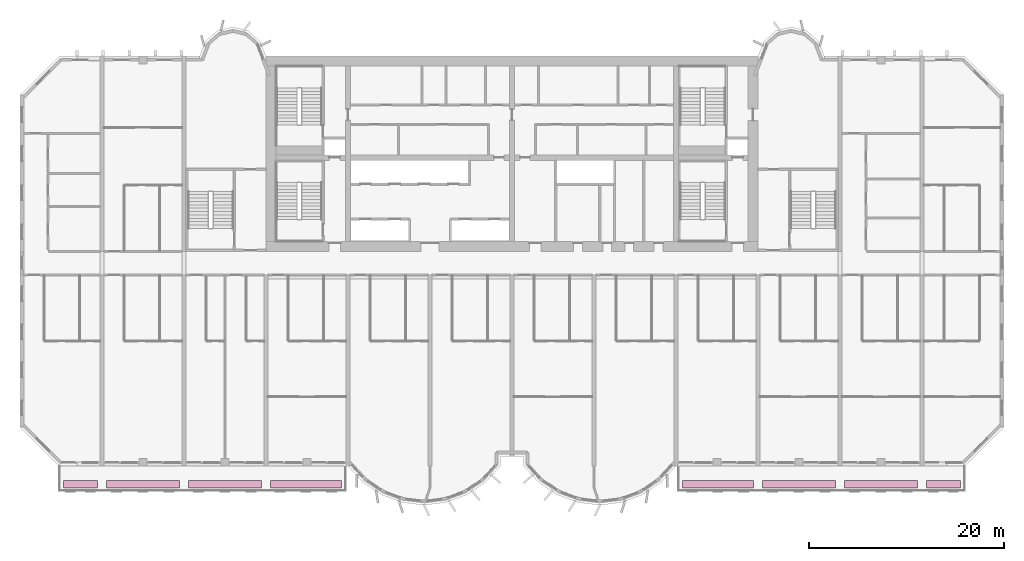
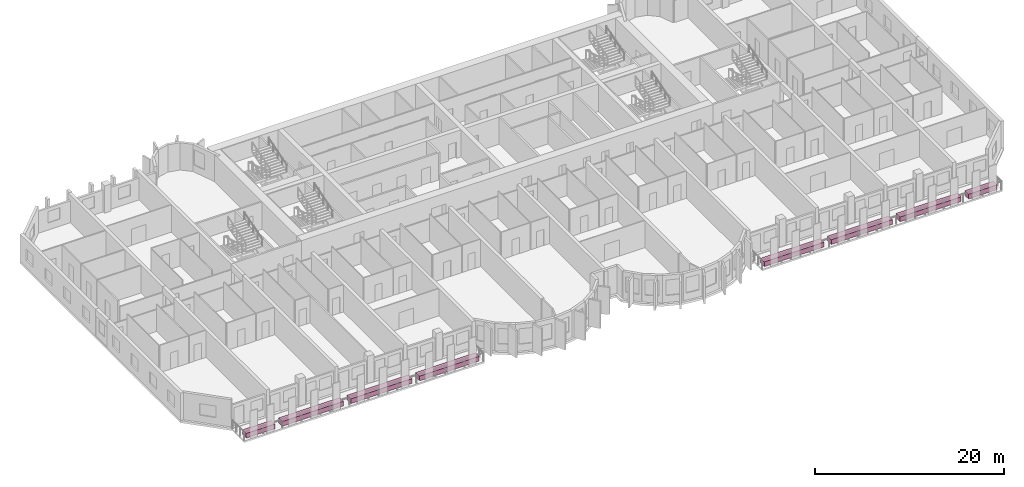
# One storey, part 15 of 15: 8 furniture elements.
"""IFC4 building model written with IfcOpenShell, lengths in metres."""

from ifc_helpers import new_model, si_unit, direction, frame, origin, origin_2d, place, context, subcontext, project, spatial, rectangle, extrude, source, transform, mapped, material, type_object, element, save


model = new_model("IFC4")

# Units and contexts
model_context = context("Model", 3, precision=1e-05, world=origin(), true_north=direction((0.0, 1.0)))
body_context = subcontext(model_context, "Body", "Model", "MODEL_VIEW")
ifc_project = project(units=[si_unit("LENGTHUNIT", "METRE"), si_unit("AREAUNIT", "SQUARE_METRE"), si_unit("VOLUMEUNIT", "CUBIC_METRE"), si_unit("PLANEANGLEUNIT", "RADIAN"), si_unit("MASSUNIT", "GRAM", prefix="KILO")], contexts=[model_context])

# Site, building, storey
site_placement = place(None, origin())
site = spatial("IfcSite", under=ifc_project, at=site_placement, CompositionType="ELEMENT")
building_placement = place(site_placement, origin())
building = spatial("IfcBuilding", under=site, at=building_placement, Name="Vanashikhar Sky Hotel", CompositionType="ELEMENT")
storey_placement = place(building_placement, frame((0.0, 0.0, 65.800048828125)))
storey = spatial("IfcBuildingStorey", under=building, at=storey_placement, Name="L15", CompositionType="ELEMENT", Elevation=65.800048828125)

# Furniture
ifc_material = material(Name="Planting soil and shrubs")
furniture_type = type_object("IfcFurnitureType", Name="Planter trough", AssemblyPlace="NOTDEFINED", PredefinedType="USERDEFINED", material=ifc_material)
shared_shape_1 = source(origin(), body_context, "Body", "SweptSolid", [
    extrude(rectangle(XDim=3.5, YDim=0.800048828125, at=origin_2d()), origin(), (0.0, 0.0, 1.0), 0.60009765625),
])
for number, where, z_axis, x_axis, name in (
    (1, (6.199951171875, -1.85009765625, -0.050048828125), (0.0, 0.0, 1.0), (1.0, 0.0, 0.0), "PLANTER with climbers"),
    (2, (94.60009765625, -1.85009765625, -0.050048828125), (0.0, 0.0, 1.0), (1.0, 0.0, 0.0), "PLANTER with climbers"),
):
    element("IfcFurniture", number, at=place(storey_placement, frame(where, z_axis=z_axis, x_axis=x_axis)), inside=storey, type_object=furniture_type, Name=name, ObjectType="PLANTER", PredefinedType="USERDEFINED", context=body_context, shape_type="MappedRepresentation", body=[
        mapped(shared_shape_1, transform((0.0, 0.0, 0.0), scale=1.0)),
    ])
shared_shape_2 = source(origin(), body_context, "Body", "SweptSolid", [
    extrude(rectangle(XDim=7.5, YDim=0.800048828125, at=origin_2d()), origin(), (0.0, 0.0, 1.0), 0.60009765625),
])
for number, where, z_axis, x_axis, name in (
    (3, (12.60009765625, -1.85009765625, -0.050048828125), (0.0, 0.0, 1.0), (1.0, 0.0, 0.0), "PLANTER with climbers"),
    (4, (21.0, -1.85009765625, -0.050048828125), (0.0, 0.0, 1.0), (1.0, 0.0, 0.0), "PLANTER with climbers"),
    (5, (79.800048828125, -1.85009765625, -0.050048828125), (0.0, 0.0, 1.0), (1.0, 0.0, 0.0), "PLANTER with climbers"),
    (6, (88.199951171875, -1.85009765625, -0.050048828125), (0.0, 0.0, 1.0), (1.0, 0.0, 0.0), "PLANTER with climbers"),
):
    element("IfcFurniture", number, at=place(storey_placement, frame(where, z_axis=z_axis, x_axis=x_axis)), inside=storey, type_object=furniture_type, Name=name, ObjectType="PLANTER", PredefinedType="USERDEFINED", context=body_context, shape_type="MappedRepresentation", body=[
        mapped(shared_shape_2, transform((0.0, 0.0, 0.0), scale=1.0)),
    ])
shared_shape_3 = source(origin(), body_context, "Body", "SweptSolid", [
    extrude(rectangle(XDim=7.300048828125, YDim=0.800048828125, at=origin_2d()), origin(), (0.0, 0.0, 1.0), 0.60009765625),
])
for number, where, z_axis, x_axis, name in (
    (7, (29.300048828125, -1.85009765625, -0.050048828125), (0.0, 0.0, 1.0), (1.0, 0.0, 0.0), "PLANTER with climbers"),
    (8, (71.5, -1.85009765625, -0.050048828125), (0.0, 0.0, 1.0), (1.0, 0.0, 0.0), "PLANTER with climbers"),
):
    element("IfcFurniture", number, at=place(storey_placement, frame(where, z_axis=z_axis, x_axis=x_axis)), inside=storey, type_object=furniture_type, Name=name, ObjectType="PLANTER", PredefinedType="USERDEFINED", context=body_context, shape_type="MappedRepresentation", body=[
        mapped(shared_shape_3, transform((0.0, 0.0, 0.0), scale=1.0)),
    ])

save(model, "model.ifc")
